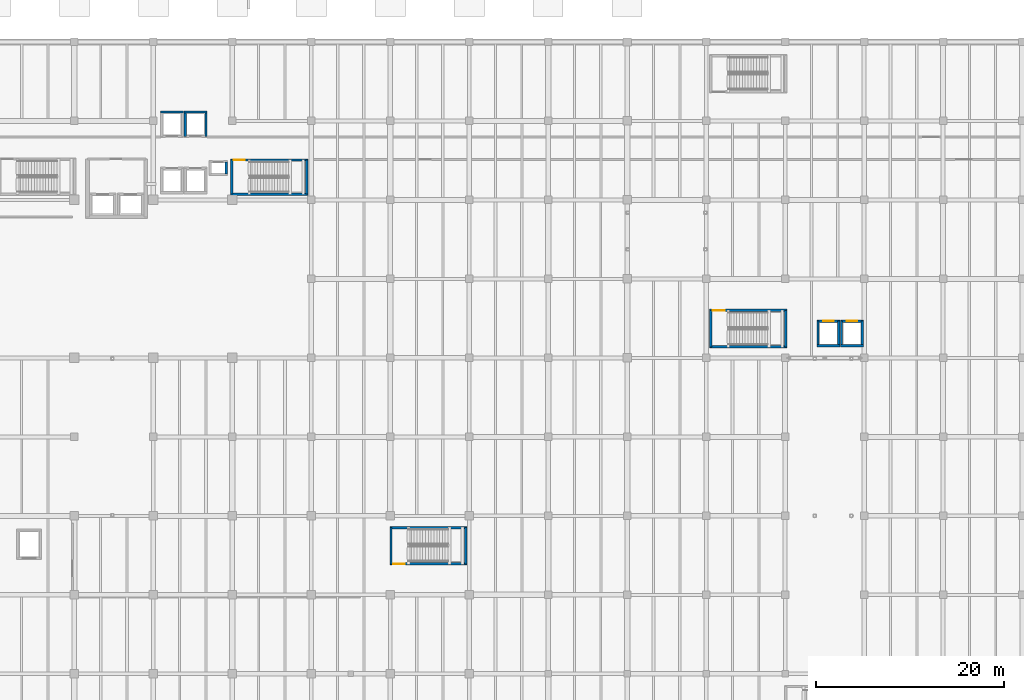
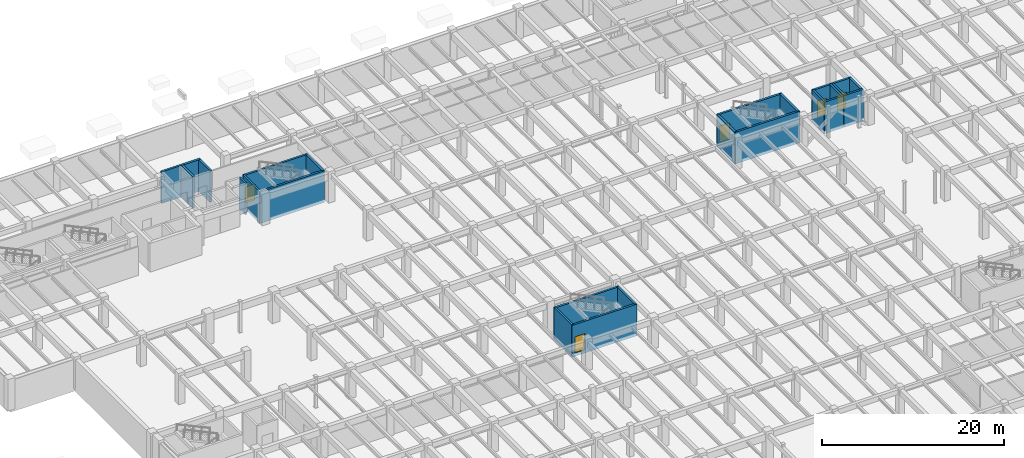
# One storey, part 40 of 63: 25 walls, 5 doors, 5 openings.
"""IFC4 building model written with IfcOpenShell, lengths in metres."""

from ifc_helpers import new_model, si_unit, direction, frame, frame_2d, origin, place, context, subcontext, project, spatial, rectangle, extrude, material, layer, layer_set, type_object, element, fill, save


model = new_model("IFC4")

# Units and contexts
model_context = context("Model", 3, precision=1e-05, world=origin(), true_north=direction((0.0, 1.0)))
body_context = subcontext(model_context, "Body", "Model", "MODEL_VIEW")
ifc_project = project(units=[si_unit("LENGTHUNIT", "METRE"), si_unit("AREAUNIT", "SQUARE_METRE"), si_unit("VOLUMEUNIT", "CUBIC_METRE"), si_unit("PLANEANGLEUNIT", "RADIAN"), si_unit("MASSUNIT", "GRAM", prefix="KILO")], contexts=[model_context])

# Site, building, storey
site_placement = place(None, origin())
site = spatial("IfcSite", under=ifc_project, at=site_placement, CompositionType="ELEMENT")
building_placement = place(site_placement, origin())
building = spatial("IfcBuilding", under=site, at=building_placement, Name="Cumbredor Promenade Congress Hotel", CompositionType="ELEMENT")
storey_placement = place(building_placement, frame((0.0, 0.0, -4.199951171875)))
storey = spatial("IfcBuildingStorey", under=building, at=storey_placement, Name="B01", CompositionType="ELEMENT", Elevation=-4.199951171875)

# Wall
ifc_material_1 = material(Name="Concrete C40/50", Category="concrete")
ifc_layer = layer(ifc_material_1, 0.2548828125, Name="Concrete C40/50", Category="concrete")
ifc_layer_set = layer_set([ifc_layer], Name="Concrete C40/50")
wall_type = type_object("IfcWallType", Name="WL-SHAFT-250", PredefinedType="SOLIDWALL", material=ifc_layer_set)
wall_1_placement = place(storey_placement, frame((41.802490234375, 101.419921875, -0.400146484375), z_axis=(0.0, 0.0, 1.0), x_axis=(1.0, 0.0, 0.0)))
element("IfcWall", 1, at=wall_1_placement, inside=storey, type_object=wall_type, Name="STAIR-ST-03-B01 Shaft Wall South", PredefinedType="SOLIDWALL", context=body_context, shape_type="SweptSolid", body=[
    extrude(rectangle(XDim=8.22509765625, YDim=0.2548828125, at=frame_2d((4.112548828125, 0.0))), origin(), (0.0, 0.0, 1.0), 4.25),
])

# Wall, opening, door
wall_2_placement = place(storey_placement, frame((41.802490234375, 105.050048828125, -0.400146484375), z_axis=(0.0, 0.0, 1.0), x_axis=(1.0, 0.0, 0.0)))
wall_2 = element("IfcWall", 2, at=wall_2_placement, inside=storey, type_object=wall_type, Name="STAIR-ST-03-B01 Shaft Wall North", PredefinedType="SOLIDWALL", context=body_context, shape_type="SweptSolid", body=[
    extrude(rectangle(XDim=8.22509765625, YDim=0.2548828125, at=frame_2d((4.112548828125, 0.0))), origin(), (0.0, 0.0, 1.0), 4.25),
])
opening_1_placement = place(wall_2_placement, frame((0.35009765625, 0.0, 0.39990234375)))
opening_1 = element("IfcOpeningElement", 3, at=opening_1_placement, cuts=wall_2, Name="Opening SD-01", PredefinedType="OPENING", context=body_context, shape_type="SweptSolid", body=[
    extrude(rectangle(XDim=1.159912109375, YDim=2.14990234375, at=frame_2d((0.580078125, 1.074951171875))), frame((0.0, 0.137451171875, 0.0), z_axis=(0.0, -1.0, 0.0), x_axis=(1.0, 0.0, 0.0)), (0.0, 0.0, 1.0), 0.27490234375),
])
ifc_material_2 = material(Name="Painted galvanized steel fire door", Category="steel")
door_type_1 = type_object("IfcDoorType", Name="DR-STAIR-FD90-1150", OperationType="NOTDEFINED", PredefinedType="DOOR", material=ifc_material_2)
door_1_placement = place(opening_1_placement, origin())
door_1 = element("IfcDoor", 4, at=door_1_placement, inside=storey, type_object=door_type_1, Name="B01 Protected Exit Stair ST-03 Door", OperationType="SINGLE_SWING_LEFT", OverallHeight=2.14990234375, OverallWidth=1.159912109375, PredefinedType="DOOR", context=body_context, shape_type="SweptSolid", body=[
    extrude(rectangle(XDim=1.159912109375, YDim=2.14990234375, at=frame_2d((0.580078125, 1.074951171875))), frame((0.0, 0.02490234375, 0.0), z_axis=(0.0, -1.0, 0.0), x_axis=(1.0, 0.0, 0.0)), (0.0, 0.0, 1.0), 0.050048828125),
])
fill(opening_1, door_1)

# Walls
for number, where, z_axis, x_axis, name in (
    (5, (41.929931640625, 101.419921875, -0.400146484375), (0.0, 0.0, 1.0), (0.0, 1.0, 0.0), "STAIR-ST-03-B01 Shaft Wall West"),
    (6, (49.89990234375, 101.419921875, -0.400146484375), (0.0, 0.0, 1.0), (0.0, 1.0, 0.0), "STAIR-ST-03-B01 Shaft Wall East"),
):
    element("IfcWall", number, at=place(storey_placement, frame(where, z_axis=z_axis, x_axis=x_axis)), inside=storey, type_object=wall_type, Name=name, PredefinedType="SOLIDWALL", context=body_context, shape_type="SweptSolid", body=[
        extrude(rectangle(XDim=3.630126953125, YDim=0.2548828125, at=frame_2d((1.81494140625, 0.0))), origin(), (0.0, 0.0, 1.0), 4.25),
    ])

# Wall, opening, door
wall_3_placement = place(storey_placement, frame((58.75244140625, 62.10009765625, -0.400146484375), z_axis=(0.0, 0.0, 1.0), x_axis=(1.0, 0.0, 0.0)))
wall_3 = element("IfcWall", 7, at=wall_3_placement, inside=storey, type_object=wall_type, Name="STAIR-ST-07-B01 Shaft Wall South", PredefinedType="SOLIDWALL", context=body_context, shape_type="SweptSolid", body=[
    extrude(rectangle(XDim=8.22509765625, YDim=0.2548828125, at=frame_2d((4.112548828125, 0.0))), origin(), (0.0, 0.0, 1.0), 4.25),
])
opening_2_placement = place(wall_3_placement, frame((0.35009765625, 0.0, 0.39990234375)))
opening_2 = element("IfcOpeningElement", 8, at=opening_2_placement, cuts=wall_3, Name="Opening SD-02", PredefinedType="OPENING", context=body_context, shape_type="SweptSolid", body=[
    extrude(rectangle(XDim=1.25, YDim=2.199951171875, at=frame_2d((0.625, 1.10009765625))), frame((0.0, 0.137451171875, 0.0), z_axis=(0.0, -1.0, 0.0), x_axis=(1.0, 0.0, 0.0)), (0.0, 0.0, 1.0), 0.27490234375),
])
door_type_2 = type_object("IfcDoorType", Name="DR-STAIR-FD90-1250", OperationType="NOTDEFINED", PredefinedType="DOOR", material=ifc_material_2)
door_2_placement = place(opening_2_placement, origin())
door_2 = element("IfcDoor", 9, at=door_2_placement, inside=storey, type_object=door_type_2, Name="B01 Protected Exit Stair ST-07 Door", OperationType="SINGLE_SWING_RIGHT", OverallHeight=2.199951171875, OverallWidth=1.25, PredefinedType="DOOR", context=body_context, shape_type="SweptSolid", body=[
    extrude(rectangle(XDim=1.25, YDim=2.199951171875, at=frame_2d((0.625, 1.10009765625))), frame((0.0, 0.02490234375, 0.0), z_axis=(0.0, -1.0, 0.0), x_axis=(1.0, 0.0, 0.0)), (0.0, 0.0, 1.0), 0.050048828125),
])
fill(opening_2, door_2)

# Walls
wall_4_placement = place(storey_placement, frame((58.75244140625, 65.949951171875, -0.400146484375), z_axis=(0.0, 0.0, 1.0), x_axis=(1.0, 0.0, 0.0)))
element("IfcWall", 10, at=wall_4_placement, inside=storey, type_object=wall_type, Name="STAIR-ST-07-B01 Shaft Wall North", PredefinedType="SOLIDWALL", context=body_context, shape_type="SweptSolid", body=[
    extrude(rectangle(XDim=8.22509765625, YDim=0.2548828125, at=frame_2d((4.112548828125, 0.0))), origin(), (0.0, 0.0, 1.0), 4.25),
])
for number, where, z_axis, x_axis, name in (
    (11, (58.8798828125, 62.10009765625, -0.400146484375), (0.0, 0.0, 1.0), (0.0, 1.0, 0.0), "STAIR-ST-07-B01 Shaft Wall West"),
    (12, (66.85009765625, 62.10009765625, -0.400146484375), (0.0, 0.0, 1.0), (0.0, 1.0, 0.0), "STAIR-ST-07-B01 Shaft Wall East"),
):
    element("IfcWall", number, at=place(storey_placement, frame(where, z_axis=z_axis, x_axis=x_axis)), inside=storey, type_object=wall_type, Name=name, PredefinedType="SOLIDWALL", context=body_context, shape_type="SweptSolid", body=[
        extrude(rectangle(XDim=3.849853515625, YDim=0.2548828125, at=frame_2d((1.9248046875, 0.0))), origin(), (0.0, 0.0, 1.0), 4.25),
    ])
wall_5_placement = place(storey_placement, frame((92.75244140625, 85.179931640625, -0.400146484375), z_axis=(0.0, 0.0, 1.0), x_axis=(1.0, 0.0, 0.0)))
element("IfcWall", 13, at=wall_5_placement, inside=storey, type_object=wall_type, Name="STAIR-ST-13-B01 Shaft Wall South", PredefinedType="SOLIDWALL", context=body_context, shape_type="SweptSolid", body=[
    extrude(rectangle(XDim=8.22509765625, YDim=0.2548828125, at=frame_2d((4.112548828125, 0.0))), origin(), (0.0, 0.0, 1.0), 4.25),
])

# Wall, opening, door
wall_6_placement = place(storey_placement, frame((92.75244140625, 89.050048828125, -0.400146484375), z_axis=(0.0, 0.0, 1.0), x_axis=(1.0, 0.0, 0.0)))
wall_6 = element("IfcWall", 14, at=wall_6_placement, inside=storey, type_object=wall_type, Name="STAIR-ST-13-B01 Shaft Wall North", PredefinedType="SOLIDWALL", context=body_context, shape_type="SweptSolid", body=[
    extrude(rectangle(XDim=8.22509765625, YDim=0.2548828125, at=frame_2d((4.112548828125, 0.0))), origin(), (0.0, 0.0, 1.0), 4.25),
])
opening_3_placement = place(wall_6_placement, frame((0.35009765625, 0.0, 0.39990234375)))
opening_3 = element("IfcOpeningElement", 15, at=opening_3_placement, cuts=wall_6, Name="Opening SD-02", PredefinedType="OPENING", context=body_context, shape_type="SweptSolid", body=[
    extrude(rectangle(XDim=1.25, YDim=2.199951171875, at=frame_2d((0.625, 1.10009765625))), frame((0.0, 0.137451171875, 0.0), z_axis=(0.0, -1.0, 0.0), x_axis=(1.0, 0.0, 0.0)), (0.0, 0.0, 1.0), 0.27490234375),
])
door_3_placement = place(opening_3_placement, origin())
door_3 = element("IfcDoor", 16, at=door_3_placement, inside=storey, type_object=door_type_2, Name="B01 Protected Exit Stair ST-13 Door", OperationType="SINGLE_SWING_LEFT", OverallHeight=2.199951171875, OverallWidth=1.25, PredefinedType="DOOR", context=body_context, shape_type="SweptSolid", body=[
    extrude(rectangle(XDim=1.25, YDim=2.199951171875, at=frame_2d((0.625, 1.10009765625))), frame((0.0, 0.02490234375, 0.0), z_axis=(0.0, -1.0, 0.0), x_axis=(1.0, 0.0, 0.0)), (0.0, 0.0, 1.0), 0.050048828125),
])
fill(opening_3, door_3)

# Walls
for number, where, z_axis, x_axis, name in (
    (17, (92.8798828125, 85.179931640625, -0.400146484375), (0.0, 0.0, 1.0), (0.0, 1.0, 0.0), "STAIR-ST-13-B01 Shaft Wall West"),
    (18, (100.85009765625, 85.179931640625, -0.400146484375), (0.0, 0.0, 1.0), (0.0, 1.0, 0.0), "STAIR-ST-13-B01 Shaft Wall East"),
):
    element("IfcWall", number, at=place(storey_placement, frame(where, z_axis=z_axis, x_axis=x_axis)), inside=storey, type_object=wall_type, Name=name, PredefinedType="SOLIDWALL", context=body_context, shape_type="SweptSolid", body=[
        extrude(rectangle(XDim=3.8701171875, YDim=0.2548828125, at=frame_2d((1.93505859375, 0.0))), origin(), (0.0, 0.0, 1.0), 4.25),
    ])
for number, where, z_axis, x_axis, name in (
    (19, (34.37255859375, 110.14990234375, -0.400146484375), (0.0, 0.0, 1.0), (1.0, 0.0, 0.0), "SHAFT-PL-01-B01 Shaft Wall North"),
    (20, (36.87255859375, 110.14990234375, -0.400146484375), (0.0, 0.0, 1.0), (1.0, 0.0, 0.0), "SHAFT-PL-02-B01 Shaft Wall North"),
):
    element("IfcWall", number, at=place(storey_placement, frame(where, z_axis=z_axis, x_axis=x_axis)), inside=storey, type_object=wall_type, Name=name, PredefinedType="SOLIDWALL", context=body_context, shape_type="SweptSolid", body=[
        extrude(rectangle(XDim=2.454833984375, YDim=0.2548828125, at=frame_2d((1.2275390625, 0.0))), origin(), (0.0, 0.0, 1.0), 4.25),
    ])
for number, where, z_axis, x_axis, name in (
    (21, (37.0, 107.550048828125, -0.400146484375), (0.0, 0.0, 1.0), (0.0, 1.0, 0.0), "SHAFT-PL-02-B01 Shaft Wall West"),
    (22, (39.199951171875, 107.550048828125, -0.400146484375), (0.0, 0.0, 1.0), (0.0, 1.0, 0.0), "SHAFT-PL-02-B01 Shaft Wall East"),
):
    element("IfcWall", number, at=place(storey_placement, frame(where, z_axis=z_axis, x_axis=x_axis)), inside=storey, type_object=wall_type, Name=name, PredefinedType="SOLIDWALL", context=body_context, shape_type="SweptSolid", body=[
        extrude(rectangle(XDim=2.599853515625, YDim=0.2548828125, at=frame_2d((1.2998046875, 0.0))), origin(), (0.0, 0.0, 1.0), 4.25),
    ])
wall_7_placement = place(storey_placement, frame((104.172607421875, 85.300048828125, -0.400146484375), z_axis=(0.0, 0.0, 1.0), x_axis=(1.0, 0.0, 0.0)))
element("IfcWall", 23, at=wall_7_placement, inside=storey, type_object=wall_type, Name="SHAFT-PL-09-B01 Shaft Wall South", PredefinedType="SOLIDWALL", context=body_context, shape_type="SweptSolid", body=[
    extrude(rectangle(XDim=2.454833984375, YDim=0.2548828125, at=frame_2d((1.2275390625, 0.0))), origin(), (0.0, 0.0, 1.0), 4.25),
])

# Wall, opening, door
wall_8_placement = place(storey_placement, frame((104.172607421875, 87.89990234375, -0.400146484375), z_axis=(0.0, 0.0, 1.0), x_axis=(1.0, 0.0, 0.0)))
wall_8 = element("IfcWall", 24, at=wall_8_placement, inside=storey, type_object=wall_type, Name="SHAFT-PL-09-B01 Shaft Wall North", PredefinedType="SOLIDWALL", context=body_context, shape_type="SweptSolid", body=[
    extrude(rectangle(XDim=2.454833984375, YDim=0.2548828125, at=frame_2d((1.2275390625, 0.0))), origin(), (0.0, 0.0, 1.0), 4.25),
])
opening_4_placement = place(wall_8_placement, frame((0.677490234375, 0.0, 0.39990234375)))
opening_4 = element("IfcOpeningElement", 25, at=opening_4_placement, cuts=wall_8, Name="Opening LD-01", PredefinedType="OPENING", context=body_context, shape_type="SweptSolid", body=[
    extrude(rectangle(XDim=1.10009765625, YDim=2.14990234375, at=frame_2d((0.550048828125, 1.074951171875))), frame((0.0, 0.137451171875, 0.0), z_axis=(0.0, -1.0, 0.0), x_axis=(1.0, 0.0, 0.0)), (0.0, 0.0, 1.0), 0.27490234375),
])
ifc_material_3 = material(Name="Brushed stainless steel", Category="steel")
door_type_3 = type_object("IfcDoorType", Name="Lift Landing Sliding Door LD-01 1100x2150", OperationType="DOUBLE_DOOR_SLIDING", PredefinedType="DOOR", material=ifc_material_3)
door_4_placement = place(opening_4_placement, origin())
door_4 = element("IfcDoor", 26, at=door_4_placement, inside=storey, type_object=door_type_3, Name="B01 Forum Congress Lift PL-09 Sliding Landing Door", OperationType="DOUBLE_DOOR_SLIDING", OverallHeight=2.14990234375, OverallWidth=1.10009765625, PredefinedType="DOOR", context=body_context, shape_type="SweptSolid", body=[
    extrude(rectangle(XDim=1.10009765625, YDim=2.14990234375, at=frame_2d((0.550048828125, 1.074951171875))), frame((0.0, 0.02490234375, 0.0), z_axis=(0.0, -1.0, 0.0), x_axis=(1.0, 0.0, 0.0)), (0.0, 0.0, 1.0), 0.050048828125),
])
fill(opening_4, door_4)

# Walls
for number, where, z_axis, x_axis, name in (
    (27, (104.300048828125, 85.300048828125, -0.400146484375), (0.0, 0.0, 1.0), (0.0, 1.0, 0.0), "SHAFT-PL-09-B01 Shaft Wall West"),
    (28, (106.5, 85.300048828125, -0.400146484375), (0.0, 0.0, 1.0), (0.0, 1.0, 0.0), "SHAFT-PL-09-B01 Shaft Wall East"),
):
    element("IfcWall", number, at=place(storey_placement, frame(where, z_axis=z_axis, x_axis=x_axis)), inside=storey, type_object=wall_type, Name=name, PredefinedType="SOLIDWALL", context=body_context, shape_type="SweptSolid", body=[
        extrude(rectangle(XDim=2.599853515625, YDim=0.2548828125, at=frame_2d((1.2998046875, 0.0))), origin(), (0.0, 0.0, 1.0), 4.25),
    ])
wall_9_placement = place(storey_placement, frame((106.672607421875, 85.300048828125, -0.400146484375), z_axis=(0.0, 0.0, 1.0), x_axis=(1.0, 0.0, 0.0)))
element("IfcWall", 29, at=wall_9_placement, inside=storey, type_object=wall_type, Name="SHAFT-PL-10-B01 Shaft Wall South", PredefinedType="SOLIDWALL", context=body_context, shape_type="SweptSolid", body=[
    extrude(rectangle(XDim=2.454833984375, YDim=0.2548828125, at=frame_2d((1.2275390625, 0.0))), origin(), (0.0, 0.0, 1.0), 4.25),
])

# Wall, opening, door
wall_10_placement = place(storey_placement, frame((106.672607421875, 87.89990234375, -0.400146484375), z_axis=(0.0, 0.0, 1.0), x_axis=(1.0, 0.0, 0.0)))
wall_10 = element("IfcWall", 30, at=wall_10_placement, inside=storey, type_object=wall_type, Name="SHAFT-PL-10-B01 Shaft Wall North", PredefinedType="SOLIDWALL", context=body_context, shape_type="SweptSolid", body=[
    extrude(rectangle(XDim=2.454833984375, YDim=0.2548828125, at=frame_2d((1.2275390625, 0.0))), origin(), (0.0, 0.0, 1.0), 4.25),
])
opening_5_placement = place(wall_10_placement, frame((0.677490234375, 0.0, 0.39990234375)))
opening_5 = element("IfcOpeningElement", 31, at=opening_5_placement, cuts=wall_10, Name="Opening LD-01", PredefinedType="OPENING", context=body_context, shape_type="SweptSolid", body=[
    extrude(rectangle(XDim=1.10009765625, YDim=2.14990234375, at=frame_2d((0.550048828125, 1.074951171875))), frame((0.0, 0.137451171875, 0.0), z_axis=(0.0, -1.0, 0.0), x_axis=(1.0, 0.0, 0.0)), (0.0, 0.0, 1.0), 0.27490234375),
])
door_5_placement = place(opening_5_placement, origin())
door_5 = element("IfcDoor", 32, at=door_5_placement, inside=storey, type_object=door_type_3, Name="B01 Forum Congress Lift PL-10 Sliding Landing Door", OperationType="DOUBLE_DOOR_SLIDING", OverallHeight=2.14990234375, OverallWidth=1.10009765625, PredefinedType="DOOR", context=body_context, shape_type="SweptSolid", body=[
    extrude(rectangle(XDim=1.10009765625, YDim=2.14990234375, at=frame_2d((0.550048828125, 1.074951171875))), frame((0.0, 0.02490234375, 0.0), z_axis=(0.0, -1.0, 0.0), x_axis=(1.0, 0.0, 0.0)), (0.0, 0.0, 1.0), 0.050048828125),
])
fill(opening_5, door_5)

# Walls
for number, where, z_axis, x_axis, name in (
    (33, (106.800048828125, 85.300048828125, -0.400146484375), (0.0, 0.0, 1.0), (0.0, 1.0, 0.0), "SHAFT-PL-10-B01 Shaft Wall West"),
    (34, (109.0, 85.300048828125, -0.400146484375), (0.0, 0.0, 1.0), (0.0, 1.0, 0.0), "SHAFT-PL-10-B01 Shaft Wall East"),
):
    element("IfcWall", number, at=place(storey_placement, frame(where, z_axis=z_axis, x_axis=x_axis)), inside=storey, type_object=wall_type, Name=name, PredefinedType="SOLIDWALL", context=body_context, shape_type="SweptSolid", body=[
        extrude(rectangle(XDim=2.599853515625, YDim=0.2548828125, at=frame_2d((1.2998046875, 0.0))), origin(), (0.0, 0.0, 1.0), 4.25),
    ])
wall_11_placement = place(storey_placement, frame((41.35009765625, 103.550048828125, -0.400146484375), z_axis=(0.0, 0.0, 1.0), x_axis=(0.0, 1.0, 0.0)))
element("IfcWall", 35, at=wall_11_placement, inside=storey, type_object=wall_type, Name="RISER-MEP-R1-B01 Shaft Wall East", PredefinedType="SOLIDWALL", context=body_context, shape_type="SweptSolid", body=[
    extrude(rectangle(XDim=1.300048828125, YDim=0.2548828125, at=frame_2d((0.64990234375, 0.0))), origin(), (0.0, 0.0, 1.0), 4.25),
])

save(model, "model.ifc")
